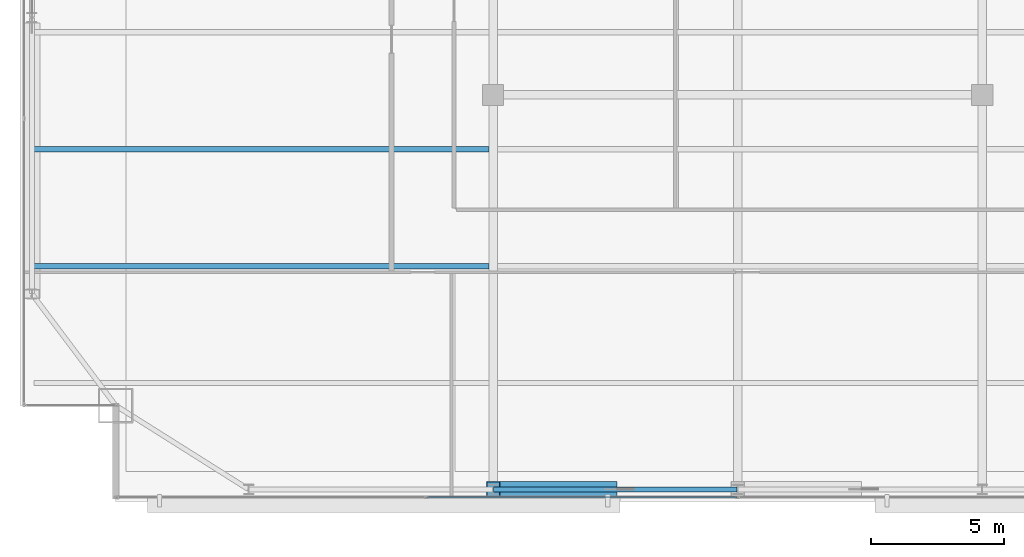
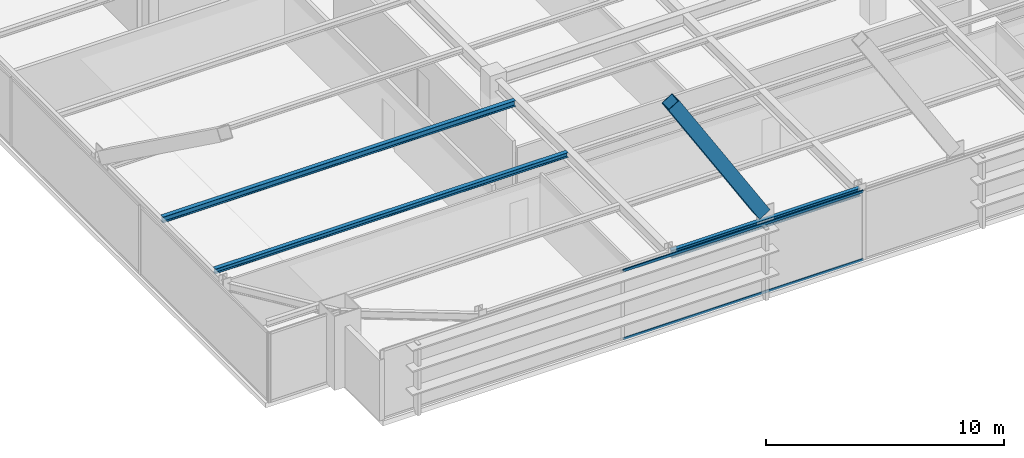
# One storey, part 8 of 30: 3 beams, 3 members, 1 element without a shape of its own.
"""IFC4 building model written with IfcOpenShell, lengths in metres."""

import ifcopenshell
import ifcopenshell.guid

model = None  # the IFC model being written
_history = None  # IfcOwnerHistory: only IFC2X3 demands one
_inside = {}  # id of a spatial element -> (the spatial element, [elements in it])
_under = {}  # id of a project, library or spatial element -> (it, [spatial elements below it])
_declared = {}  # id of a project -> (the project, [libraries it declares])
_typed = {}  # id of a type object -> (the type object, [elements of that type])
_made_of = {}  # id of a material, layer set ... -> (it, [elements and type objects made of it])


def new_model(schema):
    """Start an empty IFC model of exactly this schema.

    Asked for "IFC4X3", IfcOpenShell would pick the latest addendum, in which some entities
    have other attributes; the version numbers below select the first issue.
    IFC2X3 requires an IfcOwnerHistory on every rooted entity: one is made here for all.
    """
    global model, _history
    if schema == "IFC4X3":
        model = ifcopenshell.file(schema_version=(4, 3, 0, 0))
    else:
        model = ifcopenshell.file(schema=schema)
    _inside.clear()
    _under.clear()
    _declared.clear()
    _typed.clear()
    _made_of.clear()
    _history = None
    if model.schema == "IFC2X3":
        org = make("IfcOrganization", Name="unknown")
        user = make(
            "IfcPersonAndOrganization",
            ThePerson=make("IfcPerson", FamilyName="unknown"),
            TheOrganization=org,
        )
        app = make(
            "IfcApplication",
            ApplicationDeveloper=org,
            Version="unknown",
            ApplicationFullName="unknown",
            ApplicationIdentifier="unknown",
        )
        _history = make(
            "IfcOwnerHistory",
            OwningUser=user,
            OwningApplication=app,
            ChangeAction="ADDED",
            CreationDate=0,
        )
    return model


def make(cls, **values):
    """One entity of the class cls with the attributes given. An attribute that is None is left unset."""
    return model.create_entity(
        cls, **{name: value for name, value in values.items() if value is not None}
    )


def rooted(cls, **values):
    """An entity with a GlobalId (a new one), such as an element, a storey or a relation."""
    return make(cls, GlobalId=ifcopenshell.guid.new(), OwnerHistory=_history, **values)


def si_unit(unit_type, name, prefix=None):
    """IfcSIUnit, for example si_unit("LENGTHUNIT", "METRE", prefix="MILLI")."""
    return make("IfcSIUnit", UnitType=unit_type, Prefix=prefix, Name=name)


def assignment(units):
    """IfcUnitAssignment: the units of a project."""
    return None if units is None else make("IfcUnitAssignment", Units=units)


def point(xyz):
    """IfcCartesianPoint."""
    return None if xyz is None else make("IfcCartesianPoint", Coordinates=xyz)


def direction(xyz):
    """IfcDirection."""
    return None if xyz is None else make("IfcDirection", DirectionRatios=xyz)


def frame(location, z_axis=None, x_axis=None):
    """IfcAxis2Placement3D, a coordinate frame: its origin and axes. An axis left out is left unset."""
    return make(
        "IfcAxis2Placement3D",
        Location=point(location),
        Axis=direction(z_axis),
        RefDirection=direction(x_axis),
    )


def frame_2d(location, x_axis=None):
    """IfcAxis2Placement2D, a coordinate frame in the plane: its origin and x axis."""
    return make(
        "IfcAxis2Placement2D", Location=point(location), RefDirection=direction(x_axis)
    )


def origin():
    """The frame at (0, 0, 0) with its axes left unset."""
    return frame((0.0, 0.0, 0.0))


def origin_2d():
    """The frame at (0, 0) in the plane with its x axis left unset."""
    return frame_2d((0.0, 0.0))


def place(relative_to, where):
    """IfcLocalPlacement: puts the frame where relative to a parent placement (None: the world)."""
    return make(
        "IfcLocalPlacement", PlacementRelTo=relative_to, RelativePlacement=where
    )


def context(
    kind, dimensions, precision=None, world=None, true_north=None, identifier=None
):
    """IfcGeometricRepresentationContext, for example the 3D "Model" context."""
    return make(
        "IfcGeometricRepresentationContext",
        ContextIdentifier=identifier,
        ContextType=kind,
        CoordinateSpaceDimension=dimensions,
        Precision=precision,
        WorldCoordinateSystem=world,
        TrueNorth=true_north,
    )


def subcontext(parent, identifier, kind, view, scale=None):
    """IfcGeometricRepresentationSubContext, for example "Body" below "Model"."""
    return make(
        "IfcGeometricRepresentationSubContext",
        ContextIdentifier=identifier,
        ContextType=kind,
        ParentContext=parent,
        TargetScale=scale,
        TargetView=view,
    )


def project(units=None, contexts=None):
    """IfcProject with its units and contexts."""
    return rooted(
        "IfcProject",
        Name="project",
        RepresentationContexts=contexts,
        UnitsInContext=assignment(units),
    )


def spatial(cls, under=None, at=None, **own):
    """A site, building, storey or space (cls), placed at a placement, below another one or the project."""
    s = rooted(cls, ObjectPlacement=at, **own)
    if under is not None:
        _under.setdefault(under.id(), (under, []))[1].append(s)
    return s


def profile(cls, at=None, kind="AREA", **sizes):
    """A parametric profile (cls). Its sizes go by their IFC names, for example OverallWidth=200.0."""
    return make(cls, ProfileType=kind, Position=at, **sizes)


def hollow_rectangle(**sizes):
    """IfcRectangleHollowProfileDef."""
    return profile("IfcRectangleHollowProfileDef", **sizes)


def i_section(**sizes):
    """IfcIShapeProfileDef."""
    return profile("IfcIShapeProfileDef", **sizes)


def extrude(swept, where, along, depth):
    """IfcExtrudedAreaSolid: the profile swept, set in the frame where, extruded along a direction by depth."""
    return make(
        "IfcExtrudedAreaSolid",
        SweptArea=swept,
        Position=where,
        ExtrudedDirection=direction(along),
        Depth=depth,
    )


def shape(context_of_items, identifier, shape_type, items):
    """IfcShapeRepresentation: the items that make up one representation, for example the "Body"."""
    return make(
        "IfcShapeRepresentation",
        ContextOfItems=context_of_items,
        RepresentationIdentifier=identifier,
        RepresentationType=shape_type,
        Items=items,
    )


def source(mapping_origin, context_of_items, identifier, shape_type, items):
    """IfcRepresentationMap: a shape defined once, which mapped items show again and again."""
    return make(
        "IfcRepresentationMap",
        MappingOrigin=mapping_origin,
        MappedRepresentation=shape(context_of_items, identifier, shape_type, items),
    )


def transform(
    local_origin,
    x_axis=None,
    y_axis=None,
    z_axis=None,
    scale=None,
    scale2=None,
    scale3=None,
    uniform=True,
):
    """IfcCartesianTransformationOperator3D, or its non-uniform kind. x_axis, y_axis, z_axis: its Axis1, 2, 3."""
    if uniform:
        return make(
            "IfcCartesianTransformationOperator3D",
            Axis1=direction(x_axis),
            Axis2=direction(y_axis),
            LocalOrigin=point(local_origin),
            Scale=scale,
            Axis3=direction(z_axis),
        )
    return make(
        "IfcCartesianTransformationOperator3DnonUniform",
        Axis1=direction(x_axis),
        Axis2=direction(y_axis),
        LocalOrigin=point(local_origin),
        Scale=scale,
        Axis3=direction(z_axis),
        Scale2=scale2,
        Scale3=scale3,
    )


def mapped(mapping_source, mapping_target):
    """IfcMappedItem: shows the shape of a source again, moved by a transform."""
    return make(
        "IfcMappedItem", MappingSource=mapping_source, MappingTarget=mapping_target
    )


def material(Name=None, Category=None):
    """IfcMaterial."""
    return make("IfcMaterial", Name=Name, Category=Category)


def layer(
    of_material, thickness, ventilated=None, Name=None, Category=None, Priority=None
):
    """IfcMaterialLayer: one layer of a wall or slab, of a material (None: an air gap)."""
    return make(
        "IfcMaterialLayer",
        Material=of_material,
        LayerThickness=thickness,
        IsVentilated=ventilated,
        Name=Name,
        Category=Category,
        Priority=Priority,
    )


def layer_set(layers, Name=None):
    """IfcMaterialLayerSet."""
    return make("IfcMaterialLayerSet", MaterialLayers=layers, LayerSetName=Name)


def material_profile(
    of_material, cross_section, Name=None, Category=None, Priority=None
):
    """IfcMaterialProfile: a cross section and its material."""
    return make(
        "IfcMaterialProfile",
        Name=Name,
        Material=of_material,
        Profile=cross_section,
        Priority=Priority,
        Category=Category,
    )


def profile_set(profiles, Name=None, composite=None):
    """IfcMaterialProfileSet."""
    return make(
        "IfcMaterialProfileSet",
        Name=Name,
        MaterialProfiles=profiles,
        CompositeProfile=composite,
    )


def made_of(thing, what):
    """Note that an element or type object is made of a material, layer set ...; save() writes the relation."""
    if what is not None:
        _made_of.setdefault(what.id(), (what, []))[1].append(thing)
    return thing


def type_object(cls, material=None, **own):
    """A type object (cls), such as IfcWallType, which elements share."""
    return made_of(rooted(cls, **own), material)


def type_shapes(of_type, sources):
    """Give a type object the sources (RepresentationMaps) that its elements show as mapped items."""
    of_type.RepresentationMaps = sources


def element(
    cls,
    number,
    at=None,
    inside=None,
    cuts=None,
    type_object=None,
    material=None,
    context=None,
    identifier="Body",
    shape_type=None,
    held_by="IfcProductDefinitionShape",
    body=None,
    shapes=None,
    **own,
):
    """One element of the class cls, such as IfcWall. Its Tag is "e" and its number.

    at: its placement. inside: the storey or other place that contains it. cuts: it is an
    opening in that element (IfcRelVoidsElement). A single representation is given by context,
    identifier, shape_type and body (its items); several are given by shapes. held_by: the class
    of the entity that holds the representations. save() writes the other relations.
    """
    e = rooted(cls, Tag="e%d" % number, ObjectPlacement=at, **own)
    if body is not None:
        shapes = [shape(context, identifier, shape_type, body)]
    if shapes is not None:
        e.Representation = make(held_by, Representations=shapes)
    if inside is not None:
        _inside.setdefault(inside.id(), (inside, []))[1].append(e)
    if cuts is not None:
        rooted(
            "IfcRelVoidsElement", RelatingBuildingElement=cuts, RelatedOpeningElement=e
        )
    if type_object is not None:
        _typed.setdefault(type_object.id(), (type_object, []))[1].append(e)
    return made_of(e, material)


def aggregate(whole, parts):
    """IfcRelAggregates: a whole, such as a stair, and the parts it consists of."""
    return rooted("IfcRelAggregates", RelatingObject=whole, RelatedObjects=parts)


def save(model, path):
    """Write the relations noted so far, then the file.

    IfcRelAggregates (storeys below a building ...), IfcRelContainedInSpatialStructure (elements
    in a storey), IfcRelDefinesByType, IfcRelAssociatesMaterial and IfcRelDeclares: one each for
    every whole, place, type object, material and project.
    """
    for whole, parts in _under.values():
        aggregate(whole, parts)
    for where, things in _inside.values():
        rooted(
            "IfcRelContainedInSpatialStructure",
            RelatedElements=things,
            RelatingStructure=where,
        )
    for kind, things in _typed.values():
        rooted("IfcRelDefinesByType", RelatedObjects=things, RelatingType=kind)
    for what, things in _made_of.values():
        rooted("IfcRelAssociatesMaterial", RelatedObjects=things, RelatingMaterial=what)
    for by, libraries in _declared.values():
        rooted("IfcRelDeclares", RelatingContext=by, RelatedDefinitions=libraries)
    model.write(path)


model = new_model("IFC4")

# Units and contexts
model_context = context("Model", 3, precision=1e-05, world=origin(), true_north=direction((0.0, 1.0)))
body_context = subcontext(model_context, "Body", "Model", "MODEL_VIEW")
ifc_project = project(units=[si_unit("LENGTHUNIT", "METRE"), si_unit("AREAUNIT", "SQUARE_METRE"), si_unit("VOLUMEUNIT", "CUBIC_METRE"), si_unit("PLANEANGLEUNIT", "RADIAN"), si_unit("MASSUNIT", "GRAM", prefix="KILO")], contexts=[model_context])

# Site, building, storey
site_placement = place(None, origin())
site = spatial("IfcSite", under=ifc_project, at=site_placement, CompositionType="ELEMENT")
building_placement = place(site_placement, origin())
building = spatial("IfcBuilding", under=site, at=building_placement, Name="Varnel Quay Broadcast Tower", CompositionType="ELEMENT")
storey_placement = place(building_placement, frame((0.0, 0.0, 149.60009765625)))
storey = spatial("IfcBuildingStorey", under=building, at=storey_placement, Name="L36", CompositionType="ELEMENT", Elevation=149.60009765625)

# Beams
ifc_material_1 = material(Name="Structural Steel CSA G40.21 350W", Category="steel")
ifc_material_profile_1 = material_profile(ifc_material_1, i_section(OverallWidth=0.180908203125, OverallDepth=0.4169921875, WebThickness=0.010986328125, FlangeThickness=0.018310546875, FilletRadius=0.011962890625, at=origin_2d()), Name="W410X85")
ifc_profile_set_1 = profile_set([ifc_material_profile_1], Name="Structural Steel CSA G40.21 350W")
beam_type_1 = type_object("IfcBeamType", Name="Beam_W410X85", PredefinedType="SPANDREL", material=ifc_profile_set_1)
shared_shape_1 = source(origin(), body_context, "Body", "SweptSolid", [
    extrude(i_section(OverallWidth=0.180908203125, OverallDepth=0.4169921875, WebThickness=0.010986328125, FlangeThickness=0.018310546875, FilletRadius=0.011962890625, at=origin_2d()), origin(), (0.0, 0.0, 1.0), 9.159912109375),
])
type_shapes(beam_type_1, [shared_shape_1])
beam_1_placement = place(storey_placement, frame((24.820068359375, 7.64990234375, 3.34130859375), z_axis=(1.0, 0.0, 0.0), x_axis=(0.0, 1.0, 0.0)))
element("IfcBeam", 1, at=beam_1_placement, inside=storey, type_object=beam_type_1, Name="L36 South Spandrel TC-S2-TC-S3", PredefinedType="SPANDREL", context=body_context, shape_type="MappedRepresentation", body=[
    mapped(shared_shape_1, transform((0.0, 0.0, 0.0), x_axis=(1.0, 0.0, 0.0), y_axis=(0.0, 1.0, 0.0), z_axis=(0.0, 0.0, 1.0), scale=1.0)),
])
ifc_material_profile_2 = material_profile(ifc_material_1, i_section(OverallWidth=0.202880859375, OverallDepth=0.302978515625, WebThickness=0.007568359375, FlangeThickness=0.01318359375, FilletRadius=0.011962890625, at=origin_2d()), Name="W310X60")
ifc_profile_set_2 = profile_set([ifc_material_profile_2], Name="Structural Steel CSA G40.21 350W")
beam_type_2 = type_object("IfcBeamType", Name="Beam_W310X60", PredefinedType="JOIST", material=ifc_profile_set_2)
shared_shape_2 = source(origin(), body_context, "Body", "SweptSolid", [
    extrude(i_section(OverallWidth=0.202880859375, OverallDepth=0.302978515625, WebThickness=0.007568359375, FlangeThickness=0.01318359375, FilletRadius=0.011962890625, at=origin_2d()), origin(), (0.0, 0.0, 1.0), 17.107177734375),
])
type_shapes(beam_type_2, [shared_shape_2])
beam_2_placement = place(storey_placement, frame((7.535400390625, 20.449951171875, 3.3984375), z_axis=(1.0, 0.0, 0.0), x_axis=(0.0, 1.0, 0.0)))
element("IfcBeam", 2, at=beam_2_placement, inside=storey, type_object=beam_type_2, Name="L36 West Floor Joist 3", PredefinedType="JOIST", context=body_context, shape_type="MappedRepresentation", body=[
    mapped(shared_shape_2, transform((0.0, 0.0, 0.0), x_axis=(1.0, 0.0, 0.0), y_axis=(0.0, 1.0, 0.0), z_axis=(0.0, 0.0, 1.0), scale=1.0)),
])
ifc_material_profile_3 = material_profile(ifc_material_1, i_section(OverallWidth=0.201904296875, OverallDepth=0.2470703125, WebThickness=0.00732421875, FlangeThickness=0.010986328125, FilletRadius=0.010986328125, at=origin_2d()), Name="W250X49")
ifc_profile_set_3 = profile_set([ifc_material_profile_3], Name="Structural Steel CSA G40.21 350W")
beam_type_3 = type_object("IfcBeamType", Name="Beam_W250X49", PredefinedType="JOIST", material=ifc_profile_set_3)
shared_shape_3 = source(origin(), body_context, "Body", "SweptSolid", [
    extrude(i_section(OverallWidth=0.201904296875, OverallDepth=0.2470703125, WebThickness=0.00732421875, FlangeThickness=0.010986328125, FilletRadius=0.010986328125, at=origin_2d()), origin(), (0.0, 0.0, 1.0), 17.107177734375),
])
type_shapes(beam_type_3, [shared_shape_3])
beam_3_placement = place(storey_placement, frame((7.535400390625, 16.050048828125, 3.426513671875), z_axis=(1.0, 0.0, 0.0), x_axis=(0.0, 1.0, 0.0)))
element("IfcBeam", 3, at=beam_3_placement, inside=storey, type_object=beam_type_3, Name="L36 West Floor Joist 2", PredefinedType="JOIST", context=body_context, shape_type="MappedRepresentation", body=[
    mapped(shared_shape_3, transform((0.0, 0.0, 0.0), x_axis=(1.0, 0.0, 0.0), y_axis=(0.0, 1.0, 0.0), z_axis=(0.0, 0.0, 1.0), scale=1.0)),
])

# Member
ifc_material_2 = material(Name="Structural Steel CSA G40.21 350WT", Category="steel")
ifc_material_profile_4 = material_profile(ifc_material_2, hollow_rectangle(XDim=0.60009765625, YDim=0.60009765625, WallThickness=0.028076171875, at=origin_2d()), Name="BOX600X600X28")
ifc_profile_set_4 = profile_set([ifc_material_profile_4], Name="Structural Steel CSA G40.21 350WT")
member_type_1 = type_object("IfcMemberType", Name="Brace_BOX600X600X28", PredefinedType="BRACE", material=ifc_profile_set_4)
shared_shape_4 = source(origin(), body_context, "Body", "SweptSolid", [
    extrude(hollow_rectangle(XDim=0.60009765625, YDim=0.60009765625, WallThickness=0.028076171875, at=origin_2d()), origin(), (0.0, 0.0, 1.0), 8.399169921875),
])
type_shapes(member_type_1, [shared_shape_4])
member_1_placement = place(storey_placement, frame((29.210693359375, 7.64990234375, 3.98193359375), z_axis=(-0.525125243666, 0.0, 0.851024957604), x_axis=(0.0, -1.0, 0.0)))
element("IfcMember", 4, at=member_1_placement, inside=storey, type_object=member_type_1, Name="Zone 3 Mega-Brace S-C1T1 Split Diag B2", PredefinedType="BRACE", context=body_context, shape_type="MappedRepresentation", body=[
    mapped(shared_shape_4, transform((0.0, 0.0, 0.0), x_axis=(1.0, 0.0, 0.0), y_axis=(0.0, 1.0, 0.0), z_axis=(0.0, 0.0, 1.0), scale=1.0)),
])

# Curtain wall, members
ifc_material_3 = material(Name="Anodised Bronze Aluminium 6063-T6", Category="aluminium")
ifc_layer = layer(ifc_material_3, 0.18994140625, Name="Anodised Bronze Aluminium 6063-T6")
ifc_layer_set = layer_set([ifc_layer], Name="Anodised Bronze Aluminium 6063-T6")
curtain_wall_type = type_object("IfcCurtainWallType", Name="CW_UpperTower", PredefinedType="NOTDEFINED", material=ifc_layer_set)
curtain_wall_placement = place(storey_placement, origin())
curtain_wall = element("IfcCurtainWall", 5, at=curtain_wall_placement, inside=storey, type_object=curtain_wall_type, Name="L36 South Unitised Curtain Wall 1", PredefinedType="NOTDEFINED")
ifc_material_profile_5 = material_profile(ifc_material_3, hollow_rectangle(XDim=0.06005859375, YDim=0.125, WallThickness=0.0029296875, at=origin_2d()), Name="ALU60X125X3")
ifc_profile_set_5 = profile_set([ifc_material_profile_5], Name="Anodised Bronze Aluminium 6063-T6")
member_type_2 = type_object("IfcMemberType", Name="Tran_CWS-03", PredefinedType="USERDEFINED", material=ifc_profile_set_5)
shared_shape_5 = source(origin(), body_context, "Body", "SweptSolid", [
    extrude(hollow_rectangle(XDim=0.06005859375, YDim=0.125, WallThickness=0.0029296875, at=origin_2d()), origin(), (0.0, 0.0, 1.0), 11.635009765625),
])
type_shapes(member_type_2, [shared_shape_5])
member_2_placement = place(storey_placement, frame((22.33251953125, 7.35009765625, 0.02978515625), z_axis=(1.0, 0.0, 0.0), x_axis=(0.0, 1.0, 0.0)))
member_2 = element("IfcMember", 6, at=member_2_placement, type_object=member_type_2, Name="CWS-03 transom 2.1", ObjectType="TRANSOM", PredefinedType="USERDEFINED", context=body_context, shape_type="MappedRepresentation", body=[
    mapped(shared_shape_5, transform((0.0, 0.0, 0.0), x_axis=(1.0, 0.0, 0.0), y_axis=(0.0, 1.0, 0.0), z_axis=(0.0, 0.0, 1.0), scale=1.0)),
])
member_3_placement = place(storey_placement, frame((22.33251953125, 7.35009765625, 3.52001953125), z_axis=(1.0, 0.0, 0.0), x_axis=(0.0, 1.0, 0.0)))
member_3 = element("IfcMember", 7, at=member_3_placement, type_object=member_type_2, Name="CWS-03 transom 2.2", ObjectType="TRANSOM", PredefinedType="USERDEFINED", context=body_context, shape_type="MappedRepresentation", body=[
    mapped(shared_shape_5, transform((0.0, 0.0, 0.0), x_axis=(1.0, 0.0, 0.0), y_axis=(0.0, 1.0, 0.0), z_axis=(0.0, 0.0, 1.0), scale=1.0)),
])
aggregate(curtain_wall, [member_2, member_3])

save(model, "model.ifc")
